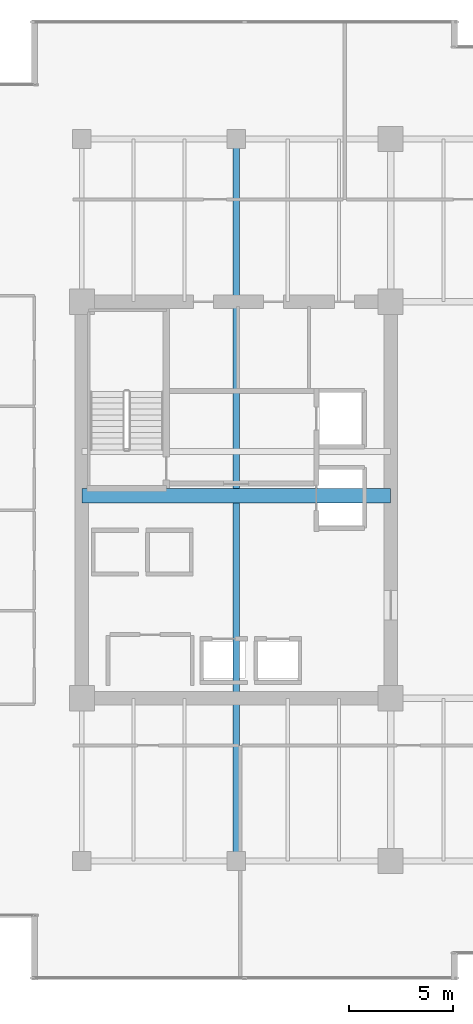
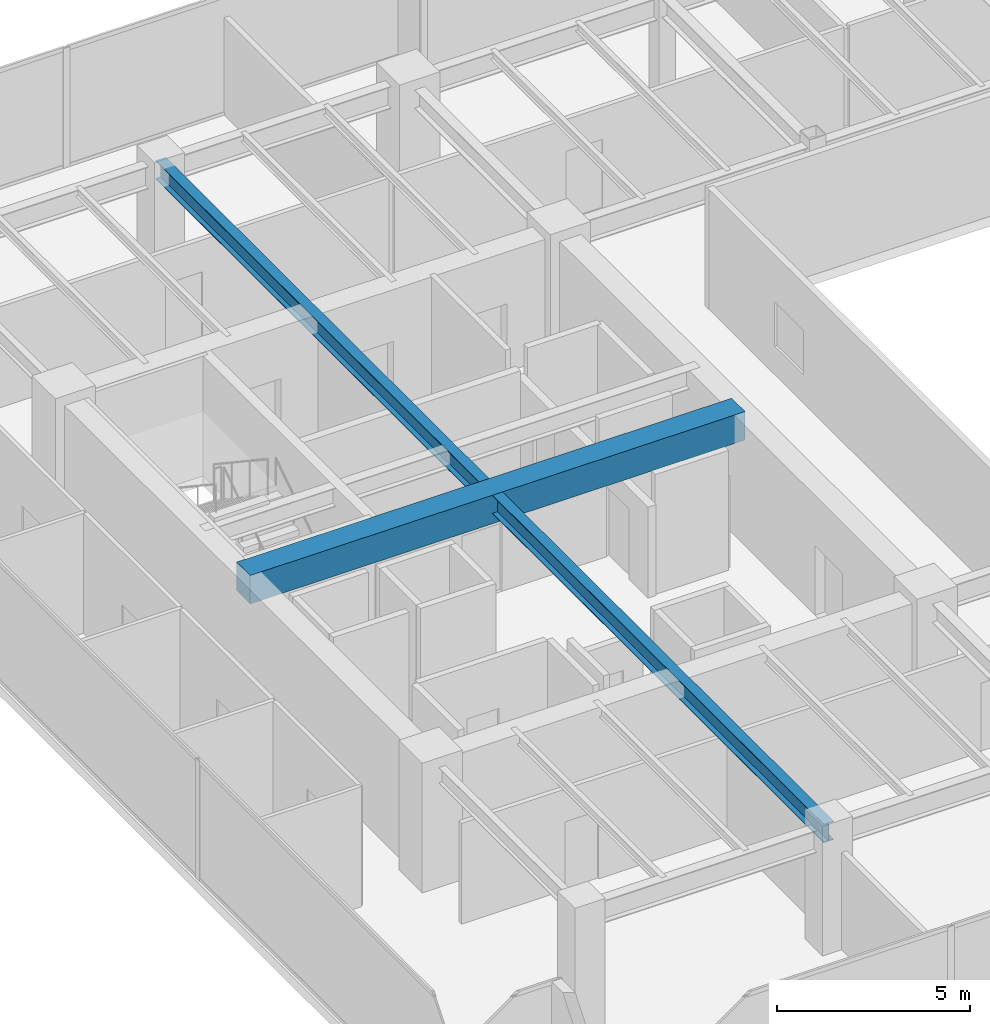
# One storey, part 7 of 31: 2 beams.
"""IFC4 building model written with IfcOpenShell, lengths in metres."""

from ifc_helpers import new_model, si_unit, direction, frame, origin, origin_2d, place, context, subcontext, project, spatial, rectangle, i_section, extrude, source, transform, mapped, material, material_profile, profile_set, type_object, type_shapes, element, save


model = new_model("IFC4")

# Units and contexts
model_context = context("Model", 3, precision=1e-05, world=origin(), true_north=direction((0.0, 1.0)))
body_context = subcontext(model_context, "Body", "Model", "MODEL_VIEW")
ifc_project = project(units=[si_unit("LENGTHUNIT", "METRE"), si_unit("AREAUNIT", "SQUARE_METRE"), si_unit("VOLUMEUNIT", "CUBIC_METRE"), si_unit("PLANEANGLEUNIT", "RADIAN"), si_unit("MASSUNIT", "GRAM", prefix="KILO")], contexts=[model_context])

# Site, building, storey
site_placement = place(None, origin())
site = spatial("IfcSite", under=ifc_project, at=site_placement, CompositionType="ELEMENT")
building_placement = place(site_placement, origin())
building = spatial("IfcBuilding", under=site, at=building_placement, Name="Haelvirn Gate Laboratories", CompositionType="ELEMENT")
storey_placement = place(building_placement, frame((0.0, 0.0, 150.199951171875)))
storey = spatial("IfcBuildingStorey", under=building, at=storey_placement, Name="L36", CompositionType="ELEMENT", Elevation=150.199951171875)

# Beams
ifc_material_1 = material(Name="Concrete C60/75", Category="concrete")
ifc_material_profile_1 = material_profile(ifc_material_1, rectangle(XDim=0.699951171875, YDim=0.89990234375, at=origin_2d()), Name="RCB-700x900")
ifc_profile_set_1 = profile_set([ifc_material_profile_1], Name="Concrete C60/75")
beam_type_1 = type_object("IfcBeamType", Name="BM-RCB-900", PredefinedType="LINTEL", material=ifc_profile_set_1)
shared_shape_1 = source(origin(), body_context, "Body", "SweptSolid", [
    extrude(rectangle(XDim=0.699951171875, YDim=0.89990234375, at=origin_2d()), origin(), (0.0, 0.0, 1.0), 14.800048828125),
])
type_shapes(beam_type_1, [shared_shape_1])
beam_1_placement = place(storey_placement, frame((7.39990234375, 24.5, 3.340087890625), z_axis=(1.0, 0.0, 0.0), x_axis=(0.0, 1.0, 0.0)))
element("IfcBeam", 1, at=beam_1_placement, inside=storey, type_object=beam_type_1, Name="L36 West Core Coupling Beam", PredefinedType="LINTEL", context=body_context, shape_type="MappedRepresentation", body=[
    mapped(shared_shape_1, transform((0.0, 0.0, 0.0), scale=1.0)),
])
ifc_material_2 = material(Name="Steel SM355", Category="steel")
ifc_material_profile_2 = material_profile(ifc_material_2, i_section(OverallWidth=0.300048828125, OverallDepth=0.587890625, WebThickness=0.011962890625, FlangeThickness=0.02001953125, at=origin_2d()), Name="H-588x300x12x20")
ifc_profile_set_2 = profile_set([ifc_material_profile_2], Name="Steel SM355")
beam_type_2 = type_object("IfcBeamType", Name="BM-G-588", PredefinedType="BEAM", material=ifc_profile_set_2)
shared_shape_2 = source(origin(), body_context, "Body", "SweptSolid", [
    extrude(i_section(OverallWidth=0.300048828125, OverallDepth=0.587890625, WebThickness=0.011962890625, FlangeThickness=0.02001953125, at=origin_2d()), origin(), (0.0, 0.0, 1.0), 34.60009765625),
])
type_shapes(beam_type_2, [shared_shape_2])
beam_2_placement = place(storey_placement, frame((14.800048828125, 7.0, 3.49609375), z_axis=(0.0, 1.0, 0.0), x_axis=(-1.0, 0.0, 0.0)))
element("IfcBeam", 2, at=beam_2_placement, inside=storey, type_object=beam_type_2, Name="L36 Frame Girder X14.8 (7.0-41.6)", PredefinedType="BEAM", context=body_context, shape_type="MappedRepresentation", body=[
    mapped(shared_shape_2, transform((0.0, 0.0, 0.0), scale=1.0)),
])

save(model, "model.ifc")
